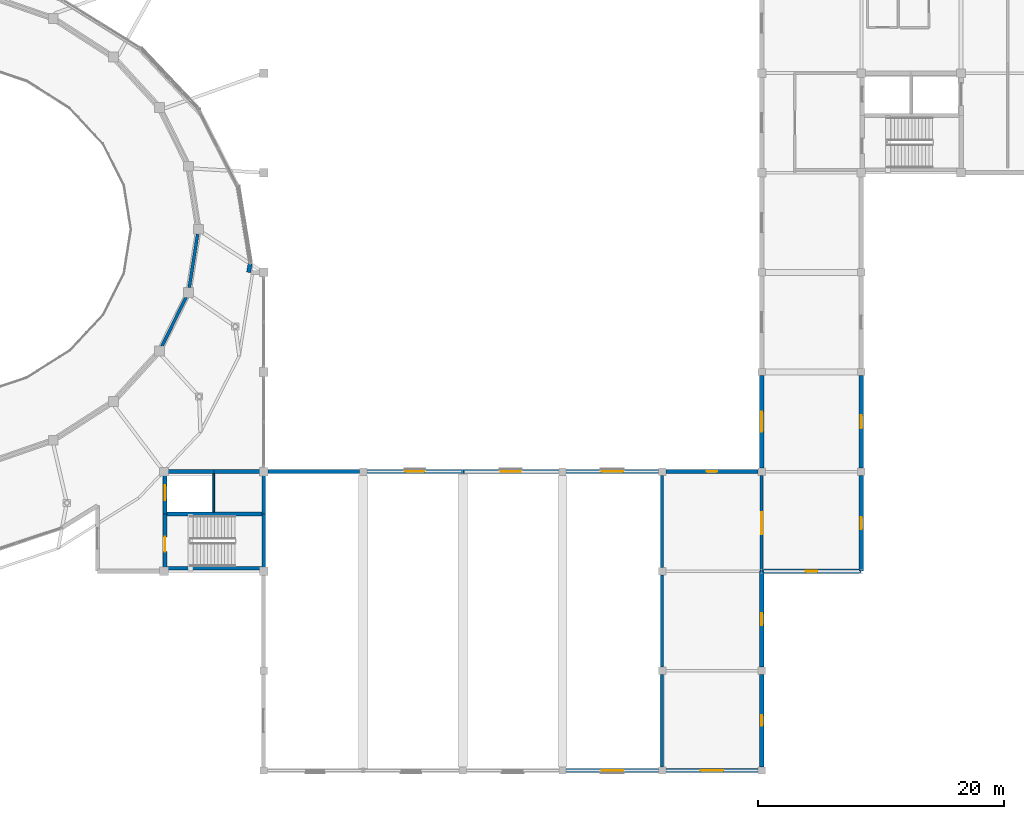
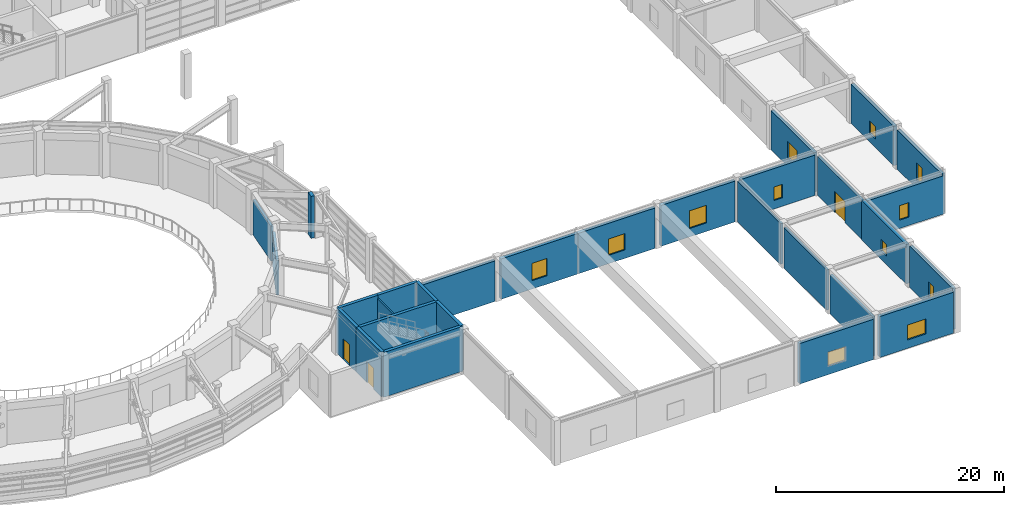
# One storey, part 42 of 58: 29 walls, 12 windows, 3 doors, 15 openings.
"""IFC4 building model written with IfcOpenShell, lengths in metres."""

from ifc_helpers import new_model, si_unit, direction, frame, frame_2d, origin, place, context, subcontext, project, spatial, rectangle, extrude, material, layer, layer_set, type_object, element, fill, save


model = new_model("IFC4")

# Units and contexts
model_context = context("Model", 3, precision=1e-05, world=origin(), true_north=direction((0.0, 1.0)))
body_context = subcontext(model_context, "Body", "Model", "MODEL_VIEW")
ifc_project = project(units=[si_unit("LENGTHUNIT", "METRE"), si_unit("AREAUNIT", "SQUARE_METRE"), si_unit("VOLUMEUNIT", "CUBIC_METRE"), si_unit("PLANEANGLEUNIT", "RADIAN"), si_unit("MASSUNIT", "GRAM", prefix="KILO")], contexts=[model_context])

# Site, building, storey
site_placement = place(None, origin())
site = spatial("IfcSite", under=ifc_project, at=site_placement, CompositionType="ELEMENT")
building_placement = place(site_placement, origin())
building = spatial("IfcBuilding", under=site, at=building_placement, Name="Parian Resonance Hall", CompositionType="ELEMENT")
storey_placement = place(building_placement, frame((0.0, 0.0, 10.199951171875)))
storey = spatial("IfcBuildingStorey", under=building, at=storey_placement, Name="L02", CompositionType="ELEMENT", Elevation=10.199951171875)

# Wall, opening, door
ifc_material_1 = material(Name="Concrete C40/50", Category="concrete")
ifc_layer_1 = layer(ifc_material_1, 0.31005859375)
ifc_layer_set_1 = layer_set([ifc_layer_1], Name="Concrete C40/50")
wall_type_1 = type_object("IfcWallType", Name="CW310", PredefinedType="SHEAR", material=ifc_layer_set_1)
wall_1_placement = place(storey_placement, frame((64.889892578125, 16.449951171875, 0.0), z_axis=(0.0, 0.0, 1.0), x_axis=(0.0, 1.0, 0.0)))
wall_1 = element("IfcWall", 1, at=wall_1_placement, inside=storey, type_object=wall_type_1, Name="Core K3 stairwell west shear wall L02", PredefinedType="SHEAR", context=body_context, shape_type="SweptSolid", body=[
    extrude(rectangle(XDim=4.400146484375, YDim=0.31005859375, at=frame_2d((2.2001953125, 0.0))), origin(), (0.0, 0.0, 1.0), 4.800048828125),
])
opening_1_placement = place(wall_1_placement, frame((1.35009765625, 0.0, 0.0)))
opening_1 = element("IfcOpeningElement", 2, at=opening_1_placement, cuts=wall_1, Name="Opening FD-01", PredefinedType="OPENING", context=body_context, shape_type="SweptSolid", body=[
    extrude(rectangle(XDim=1.199951171875, YDim=2.25, at=frame_2d((0.60009765625, 1.125))), frame((0.0, 0.1650390625, 0.0), z_axis=(0.0, -1.0, 0.0), x_axis=(1.0, 0.0, 0.0)), (0.0, 0.0, 1.0), 0.330078125),
])
ifc_material_2 = material(Name="Fire-rated acoustic steel and narra timber door", Category="steel")
door_type_1 = type_object("IfcDoorType", Name="FD-01", OperationType="NOTDEFINED", PredefinedType="DOOR", material=ifc_material_2)
door_1_placement = place(opening_1_placement, origin())
door_1 = element("IfcDoor", 3, at=door_1_placement, inside=storey, type_object=door_type_1, Name="Exit stair ST-03 fire door L02", OperationType="SINGLE_SWING_RIGHT", OverallHeight=2.25, OverallWidth=1.199951171875, PredefinedType="DOOR", context=body_context, shape_type="SweptSolid", body=[
    extrude(rectangle(XDim=1.199951171875, YDim=2.25, at=frame_2d((0.60009765625, 1.125))), frame((0.0, 0.02490234375, 0.0), z_axis=(0.0, -1.0, 0.0), x_axis=(1.0, 0.0, 0.0)), (0.0, 0.0, 1.0), 0.050048828125),
])
fill(opening_1, door_1)

wall_2_placement = place(storey_placement, frame((64.889892578125, 20.85009765625, 0.0), z_axis=(0.0, 0.0, 1.0), x_axis=(0.0, 1.0, 0.0)))
wall_2 = element("IfcWall", 4, at=wall_2_placement, inside=storey, type_object=wall_type_1, Name="Core K3 lift shaft west shear wall L02", PredefinedType="SHEAR", context=body_context, shape_type="SweptSolid", body=[
    extrude(rectangle(XDim=3.449951171875, YDim=0.31005859375, at=frame_2d((1.72509765625, 0.0))), origin(), (0.0, 0.0, 1.0), 4.800048828125),
])
opening_2_placement = place(wall_2_placement, frame((1.125, 0.0, 0.0)))
opening_2 = element("IfcOpeningElement", 5, at=opening_2_placement, cuts=wall_2, Name="Opening LD-01", PredefinedType="OPENING", context=body_context, shape_type="SweptSolid", body=[
    extrude(rectangle(XDim=1.199951171875, YDim=2.199951171875, at=frame_2d((0.60009765625, 1.10009765625))), frame((0.0, 0.1650390625, 0.0), z_axis=(0.0, -1.0, 0.0), x_axis=(1.0, 0.0, 0.0)), (0.0, 0.0, 1.0), 0.330078125),
])
ifc_material_3 = material(Name="Stainless steel and bronze elevator cab", Category="steel")
door_type_2 = type_object("IfcDoorType", Name="DOOR-LIFT-1200x2200", OperationType="SLIDING_TO_LEFT", PredefinedType="DOOR", material=ifc_material_3)
door_2_placement = place(opening_2_placement, origin())
door_2 = element("IfcDoor", 6, at=door_2_placement, inside=storey, type_object=door_type_2, Name="Lift LF-04 sliding landing door L02", OperationType="SLIDING_TO_LEFT", OverallHeight=2.199951171875, OverallWidth=1.199951171875, PredefinedType="DOOR", context=body_context, shape_type="SweptSolid", body=[
    extrude(rectangle(XDim=1.199951171875, YDim=2.199951171875, at=frame_2d((0.60009765625, 1.10009765625))), frame((0.0, 0.02490234375, 0.0), z_axis=(0.0, -1.0, 0.0), x_axis=(1.0, 0.0, 0.0)), (0.0, 0.0, 1.0), 0.050048828125),
])
fill(opening_2, door_2)

# Walls
wall_3_placement = place(storey_placement, frame((64.889892578125, 24.300048828125, 0.0), z_axis=(0.0, 0.0, 1.0), x_axis=(1.0, 0.0, 0.0)))
element("IfcWall", 7, at=wall_3_placement, inside=storey, type_object=wall_type_1, Name="Core K3 north-west shaft wall L02", PredefinedType="SHEAR", context=body_context, shape_type="SweptSolid", body=[
    extrude(rectangle(XDim=3.960205078125, YDim=0.31005859375, at=frame_2d((1.97998046875, 0.0))), origin(), (0.0, 0.0, 1.0), 4.800048828125),
])
wall_4_placement = place(storey_placement, frame((68.85009765625, 24.300048828125, 0.0), z_axis=(0.0, 0.0, 1.0), x_axis=(1.0, 0.0, 0.0)))
element("IfcWall", 8, at=wall_4_placement, inside=storey, type_object=wall_type_1, Name="Core K3 north-east shaft wall L02", PredefinedType="SHEAR", context=body_context, shape_type="SweptSolid", body=[
    extrude(rectangle(XDim=4.059814453125, YDim=0.31005859375, at=frame_2d((2.02978515625, 0.0))), origin(), (0.0, 0.0, 1.0), 4.800048828125),
])
wall_5_placement = place(storey_placement, frame((72.909912109375, 24.300048828125, 0.0), z_axis=(0.0, 0.0, 1.0), x_axis=(0.0, -1.0, 0.0)))
element("IfcWall", 9, at=wall_5_placement, inside=storey, type_object=wall_type_1, Name="Core K3 east shaft wall L02", PredefinedType="SHEAR", context=body_context, shape_type="SweptSolid", body=[
    extrude(rectangle(XDim=3.449951171875, YDim=0.31005859375, at=frame_2d((1.72509765625, 0.0))), origin(), (0.0, 0.0, 1.0), 4.800048828125),
])
wall_6_placement = place(storey_placement, frame((72.909912109375, 20.85009765625, 0.0), z_axis=(0.0, 0.0, 1.0), x_axis=(0.0, -1.0, 0.0)))
element("IfcWall", 10, at=wall_6_placement, inside=storey, type_object=wall_type_1, Name="Core K3 stairwell east wall L02", PredefinedType="SHEAR", context=body_context, shape_type="SweptSolid", body=[
    extrude(rectangle(XDim=4.400146484375, YDim=0.31005859375, at=frame_2d((2.2001953125, 0.0))), origin(), (0.0, 0.0, 1.0), 4.800048828125),
])
for number, where, z_axis, x_axis, name in (
    (11, (72.909912109375, 16.449951171875, 0.0), (0.0, 0.0, 1.0), (-1.0, 0.0, 0.0), "Core K3 stairwell south wall L02"),
    (12, (64.889892578125, 20.85009765625, 0.0), (0.0, 0.0, 1.0), (1.0, 0.0, 0.0), "Core K3 stair-lift divider wall L02"),
):
    element("IfcWall", number, at=place(storey_placement, frame(where, z_axis=z_axis, x_axis=x_axis)), inside=storey, type_object=wall_type_1, Name=name, PredefinedType="SHEAR", context=body_context, shape_type="SweptSolid", body=[
        extrude(rectangle(XDim=8.02001953125, YDim=0.31005859375, at=frame_2d((4.010009765625, 0.0))), origin(), (0.0, 0.0, 1.0), 4.800048828125),
    ])
ifc_material_4 = material(Name="Concrete C35/45 with Carcar coral-limestone ashlar", Category="masonry")
ifc_layer_2 = layer(ifc_material_4, 0.340087890625)
ifc_layer_set_2 = layer_set([ifc_layer_2], Name="Concrete C35/45 with Carcar coral-limestone ashlar")
wall_type_2 = type_object("IfcWallType", Name="EW-STONE-340", PredefinedType="SOLIDWALL", material=ifc_layer_set_2)
wall_7_placement = place(storey_placement, frame((73.25, 24.300048828125, 0.0), z_axis=(0.0, 0.0, 1.0), x_axis=(1.0, 0.0, 0.0)))
element("IfcWall", 13, at=wall_7_placement, inside=storey, type_object=wall_type_2, Name="Exterior wall EW-L02-0127", PredefinedType="SOLIDWALL", context=body_context, shape_type="SweptSolid", body=[
    extrude(rectangle(XDim=7.449951171875, YDim=0.340087890625, at=frame_2d((3.72509765625, 0.0))), origin(), (0.0, 0.0, 1.0), 4.324951171875),
])

# Wall, opening, window
wall_8_placement = place(storey_placement, frame((81.300048828125, 24.300048828125, 0.0), z_axis=(0.0, 0.0, 1.0), x_axis=(1.0, 0.0, 0.0)))
wall_8 = element("IfcWall", 14, at=wall_8_placement, inside=storey, type_object=wall_type_2, Name="Exterior wall EW-L02-0131", PredefinedType="SOLIDWALL", context=body_context, shape_type="SweptSolid", body=[
    extrude(rectangle(XDim=7.800048828125, YDim=0.340087890625, at=frame_2d((3.89990234375, 0.0))), origin(), (0.0, 0.0, 1.0), 4.324951171875),
])
opening_3_placement = place(wall_8_placement, frame((3.125, 0.0, 0.89990234375)))
opening_3 = element("IfcOpeningElement", 15, at=opening_3_placement, cuts=wall_8, Name="Opening WN-25", PredefinedType="OPENING", context=body_context, shape_type="SweptSolid", body=[
    extrude(rectangle(XDim=1.550048828125, YDim=1.85009765625, at=frame_2d((0.77490234375, 0.925048828125))), frame((0.0, 0.179931640625, 0.0), z_axis=(0.0, -1.0, 0.0), x_axis=(1.0, 0.0, 0.0)), (0.0, 0.0, 1.0), 0.360107421875),
])
ifc_material_5 = material(Name="Acoustic laminated double glazing", Category="glass")
window_type_1 = type_object("IfcWindowType", Name="WIN-1550x1850", PartitioningType="SINGLE_PANEL", PredefinedType="WINDOW", material=ifc_material_5)
window_1_placement = place(opening_3_placement, origin())
window_1 = element("IfcWindow", 16, at=window_1_placement, inside=storey, type_object=window_type_1, Name="Acoustic window L02-0023", OverallHeight=1.85009765625, OverallWidth=1.550048828125, PartitioningType="SINGLE_PANEL", PredefinedType="WINDOW", context=body_context, shape_type="SweptSolid", body=[
    extrude(rectangle(XDim=1.550048828125, YDim=1.85009765625, at=frame_2d((0.77490234375, 0.925048828125))), frame((0.0, 0.030029296875, 0.0), z_axis=(0.0, -1.0, 0.0), x_axis=(1.0, 0.0, 0.0)), (0.0, 0.0, 1.0), 0.06005859375),
])
fill(opening_3, window_1)

wall_9_placement = place(storey_placement, frame((89.10009765625, 24.300048828125, 0.0), z_axis=(0.0, 0.0, 1.0), x_axis=(1.0, 0.0, 0.0)))
wall_9 = element("IfcWall", 17, at=wall_9_placement, inside=storey, type_object=wall_type_2, Name="Exterior wall EW-L02-0134", PredefinedType="SOLIDWALL", context=body_context, shape_type="SweptSolid", body=[
    extrude(rectangle(XDim=7.7998046875, YDim=0.340087890625, at=frame_2d((3.89990234375, 0.0))), origin(), (0.0, 0.0, 1.0), 4.324951171875),
])
opening_4_placement = place(wall_9_placement, frame((3.074951171875, 0.0, 0.89990234375)))
opening_4 = element("IfcOpeningElement", 18, at=opening_4_placement, cuts=wall_9, Name="Opening WN-28", PredefinedType="OPENING", context=body_context, shape_type="SweptSolid", body=[
    extrude(rectangle(XDim=1.64990234375, YDim=1.75, at=frame_2d((0.824951171875, 0.875))), frame((0.0, 0.179931640625, 0.0), z_axis=(0.0, -1.0, 0.0), x_axis=(1.0, 0.0, 0.0)), (0.0, 0.0, 1.0), 0.360107421875),
])
ifc_material_6 = material(Name="Acoustic laminated double glazing", Category="glass")
window_type_2 = type_object("IfcWindowType", Name="WIN-1650x1750", PartitioningType="SINGLE_PANEL", PredefinedType="WINDOW", material=ifc_material_6)
window_2_placement = place(opening_4_placement, origin())
window_2 = element("IfcWindow", 19, at=window_2_placement, inside=storey, type_object=window_type_2, Name="Acoustic window L02-0026", OverallHeight=1.75, OverallWidth=1.64990234375, PartitioningType="SINGLE_PANEL", PredefinedType="WINDOW", context=body_context, shape_type="SweptSolid", body=[
    extrude(rectangle(XDim=1.64990234375, YDim=1.75, at=frame_2d((0.824951171875, 0.875))), frame((0.0, 0.030029296875, 0.0), z_axis=(0.0, -1.0, 0.0), x_axis=(1.0, 0.0, 0.0)), (0.0, 0.0, 1.0), 0.06005859375),
])
fill(opening_4, window_2)

wall_10_placement = place(storey_placement, frame((97.5, 24.300048828125, 0.0), z_axis=(0.0, 0.0, 1.0), x_axis=(1.0, 0.0, 0.0)))
wall_10 = element("IfcWall", 20, at=wall_10_placement, inside=storey, type_object=wall_type_2, Name="Exterior wall EW-L02-0138", PredefinedType="SOLIDWALL", context=body_context, shape_type="SweptSolid", body=[
    extrude(rectangle(XDim=7.5, YDim=0.340087890625, at=frame_2d((3.75, 0.0))), origin(), (0.0, 0.0, 1.0), 4.376953125),
])
opening_5_placement = place(wall_10_placement, frame((2.875, 0.0, 0.89990234375)))
opening_5 = element("IfcOpeningElement", 21, at=opening_5_placement, cuts=wall_10, Name="Opening WN-31", PredefinedType="OPENING", context=body_context, shape_type="SweptSolid", body=[
    extrude(rectangle(XDim=1.75, YDim=1.89990234375, at=frame_2d((0.875, 0.949951171875))), frame((0.0, 0.179931640625, 0.0), z_axis=(0.0, -1.0, 0.0), x_axis=(1.0, 0.0, 0.0)), (0.0, 0.0, 1.0), 0.360107421875),
])
ifc_material_7 = material(Name="Acoustic laminated double glazing", Category="glass")
window_type_3 = type_object("IfcWindowType", Name="WIN-1750x1900", PartitioningType="SINGLE_PANEL", PredefinedType="WINDOW", material=ifc_material_7)
window_3_placement = place(opening_5_placement, origin())
window_3 = element("IfcWindow", 22, at=window_3_placement, inside=storey, type_object=window_type_3, Name="Acoustic window L02-0029", OverallHeight=1.89990234375, OverallWidth=1.75, PartitioningType="SINGLE_PANEL", PredefinedType="WINDOW", context=body_context, shape_type="SweptSolid", body=[
    extrude(rectangle(XDim=1.75, YDim=1.89990234375, at=frame_2d((0.875, 0.949951171875))), frame((0.0, 0.030029296875, 0.0), z_axis=(0.0, -1.0, 0.0), x_axis=(1.0, 0.0, 0.0)), (0.0, 0.0, 1.0), 0.06005859375),
])
fill(opening_5, window_3)

wall_11_placement = place(storey_placement, frame((113.10009765625, 24.300048828125, 0.0), z_axis=(0.0, 0.0, 1.0), x_axis=(-1.0, 0.0, 0.0)))
wall_11 = element("IfcWall", 23, at=wall_11_placement, inside=storey, type_object=wall_type_2, Name="Perimeter closure wall L02", PredefinedType="SOLIDWALL", context=body_context, shape_type="SweptSolid", body=[
    extrude(rectangle(XDim=7.5, YDim=0.340087890625, at=frame_2d((3.75, 0.0))), origin(), (0.0, 0.0, 1.0), 4.324951171875),
])
opening_6_placement = place(wall_11_placement, frame((3.324951171875, 0.0, 0.89990234375)))
opening_6 = element("IfcOpeningElement", 24, at=opening_6_placement, cuts=wall_11, Name="Opening WN-02", PredefinedType="OPENING", context=body_context, shape_type="SweptSolid", body=[
    extrude(rectangle(XDim=0.85009765625, YDim=1.449951171875, at=frame_2d((0.425048828125, 0.72509765625))), frame((0.0, 0.179931640625, 0.0), z_axis=(0.0, -1.0, 0.0), x_axis=(1.0, 0.0, 0.0)), (0.0, 0.0, 1.0), 0.360107421875),
])
ifc_material_8 = material(Name="Acoustic laminated double glazing", Category="glass")
window_type_4 = type_object("IfcWindowType", Name="WIN-850x1450", PartitioningType="SINGLE_PANEL", PredefinedType="WINDOW", material=ifc_material_8)
window_4_placement = place(opening_6_placement, origin())
window_4 = element("IfcWindow", 25, at=window_4_placement, inside=storey, type_object=window_type_4, Name="Acoustic window L02-0083", OverallHeight=1.449951171875, OverallWidth=0.85009765625, PartitioningType="SINGLE_PANEL", PredefinedType="WINDOW", context=body_context, shape_type="SweptSolid", body=[
    extrude(rectangle(XDim=0.85009765625, YDim=1.449951171875, at=frame_2d((0.425048828125, 0.72509765625))), frame((0.0, 0.030029296875, 0.0), z_axis=(0.0, -1.0, 0.0), x_axis=(1.0, 0.0, 0.0)), (0.0, 0.0, 1.0), 0.06005859375),
])
fill(opening_6, window_4)

wall_12_placement = place(storey_placement, frame((113.39990234375, 0.300048828125, 0.0), z_axis=(0.0, 0.0, 1.0), x_axis=(0.0, 1.0, 0.0)))
wall_12 = element("IfcWall", 26, at=wall_12_placement, inside=storey, type_object=wall_type_2, Name="Perimeter closure wall L02", PredefinedType="SOLIDWALL", context=body_context, shape_type="SweptSolid", body=[
    extrude(rectangle(XDim=7.5, YDim=0.340087890625, at=frame_2d((3.75, 0.0))), origin(), (0.0, 0.0, 1.0), 4.43701171875),
])
opening_7_placement = place(wall_12_placement, frame((3.324951171875, 0.0, 0.89990234375)))
opening_7 = element("IfcOpeningElement", 27, at=opening_7_placement, cuts=wall_12, Name="Opening WN-03", PredefinedType="OPENING", context=body_context, shape_type="SweptSolid", body=[
    extrude(rectangle(XDim=0.85009765625, YDim=1.75, at=frame_2d((0.425048828125, 0.875))), frame((0.0, 0.179931640625, 0.0), z_axis=(0.0, -1.0, 0.0), x_axis=(1.0, 0.0, 0.0)), (0.0, 0.0, 1.0), 0.360107421875),
])
ifc_material_9 = material(Name="Acoustic laminated double glazing", Category="glass")
window_type_5 = type_object("IfcWindowType", Name="WIN-850x1750", PartitioningType="SINGLE_PANEL", PredefinedType="WINDOW", material=ifc_material_9)
window_5_placement = place(opening_7_placement, origin())
window_5 = element("IfcWindow", 28, at=window_5_placement, inside=storey, type_object=window_type_5, Name="Acoustic window L02-0084", OverallHeight=1.75, OverallWidth=0.85009765625, PartitioningType="SINGLE_PANEL", PredefinedType="WINDOW", context=body_context, shape_type="SweptSolid", body=[
    extrude(rectangle(XDim=0.85009765625, YDim=1.75, at=frame_2d((0.425048828125, 0.875))), frame((0.0, 0.030029296875, 0.0), z_axis=(0.0, -1.0, 0.0), x_axis=(1.0, 0.0, 0.0)), (0.0, 0.0, 1.0), 0.06005859375),
])
fill(opening_7, window_5)

wall_13_placement = place(storey_placement, frame((113.39990234375, 8.39990234375, 0.0), z_axis=(0.0, 0.0, 1.0), x_axis=(0.0, 1.0, 0.0)))
wall_13 = element("IfcWall", 29, at=wall_13_placement, inside=storey, type_object=wall_type_2, Name="Perimeter closure wall L02", PredefinedType="SOLIDWALL", context=body_context, shape_type="SweptSolid", body=[
    extrude(rectangle(XDim=7.800048828125, YDim=0.340087890625, at=frame_2d((3.89990234375, 0.0))), origin(), (0.0, 0.0, 1.0), 4.20703125),
])
opening_8_placement = place(wall_13_placement, frame((3.425048828125, 0.0, 0.89990234375)))
opening_8 = element("IfcOpeningElement", 30, at=opening_8_placement, cuts=wall_13, Name="Opening WN-04", PredefinedType="OPENING", context=body_context, shape_type="SweptSolid", body=[
    extrude(rectangle(XDim=0.949951171875, YDim=1.25, at=frame_2d((0.47509765625, 0.625))), frame((0.0, 0.179931640625, 0.0), z_axis=(0.0, -1.0, 0.0), x_axis=(1.0, 0.0, 0.0)), (0.0, 0.0, 1.0), 0.360107421875),
])
ifc_material_10 = material(Name="Acoustic laminated double glazing", Category="glass")
window_type_6 = type_object("IfcWindowType", Name="WIN-950x1250", PartitioningType="SINGLE_PANEL", PredefinedType="WINDOW", material=ifc_material_10)
window_6_placement = place(opening_8_placement, origin())
window_6 = element("IfcWindow", 31, at=window_6_placement, inside=storey, type_object=window_type_6, Name="Acoustic window L02-0085", OverallHeight=1.25, OverallWidth=0.949951171875, PartitioningType="SINGLE_PANEL", PredefinedType="WINDOW", context=body_context, shape_type="SweptSolid", body=[
    extrude(rectangle(XDim=0.949951171875, YDim=1.25, at=frame_2d((0.47509765625, 0.625))), frame((0.0, 0.030029296875, 0.0), z_axis=(0.0, -1.0, 0.0), x_axis=(1.0, 0.0, 0.0)), (0.0, 0.0, 1.0), 0.06005859375),
])
fill(opening_8, window_6)

wall_14_placement = place(storey_placement, frame((113.39990234375, 16.199951171875, 0.0), z_axis=(0.0, 0.0, 1.0), x_axis=(1.0, 0.0, 0.0)))
wall_14 = element("IfcWall", 32, at=wall_14_placement, inside=storey, type_object=wall_type_2, Name="Perimeter closure wall L02", PredefinedType="SOLIDWALL", context=body_context, shape_type="SweptSolid", body=[
    extrude(rectangle(XDim=8.10009765625, YDim=0.340087890625, at=frame_2d((4.050048828125, 0.0))), origin(), (0.0, 0.0, 1.0), 4.094970703125),
])
opening_9_placement = place(wall_14_placement, frame((3.574951171875, 0.0, 0.89990234375)))
opening_9 = element("IfcOpeningElement", 33, at=opening_9_placement, cuts=wall_14, Name="Opening WN-05", PredefinedType="OPENING", context=body_context, shape_type="SweptSolid", body=[
    extrude(rectangle(XDim=0.949951171875, YDim=1.550048828125, at=frame_2d((0.47509765625, 0.77490234375))), frame((0.0, 0.179931640625, 0.0), z_axis=(0.0, -1.0, 0.0), x_axis=(1.0, 0.0, 0.0)), (0.0, 0.0, 1.0), 0.360107421875),
])
ifc_material_11 = material(Name="Acoustic laminated double glazing", Category="glass")
window_type_7 = type_object("IfcWindowType", Name="WIN-950x1550", PartitioningType="SINGLE_PANEL", PredefinedType="WINDOW", material=ifc_material_11)
window_7_placement = place(opening_9_placement, origin())
window_7 = element("IfcWindow", 34, at=window_7_placement, inside=storey, type_object=window_type_7, Name="Acoustic window L02-0086", OverallHeight=1.550048828125, OverallWidth=0.949951171875, PartitioningType="SINGLE_PANEL", PredefinedType="WINDOW", context=body_context, shape_type="SweptSolid", body=[
    extrude(rectangle(XDim=0.949951171875, YDim=1.550048828125, at=frame_2d((0.47509765625, 0.77490234375))), frame((0.0, 0.030029296875, 0.0), z_axis=(0.0, -1.0, 0.0), x_axis=(1.0, 0.0, 0.0)), (0.0, 0.0, 1.0), 0.06005859375),
])
fill(opening_9, window_7)

wall_15_placement = place(storey_placement, frame((121.5, 16.199951171875, 0.0), z_axis=(0.0, 0.0, 1.0), x_axis=(0.0, 1.0, 0.0)))
wall_15 = element("IfcWall", 35, at=wall_15_placement, inside=storey, type_object=wall_type_2, Name="Perimeter closure wall L02", PredefinedType="SOLIDWALL", context=body_context, shape_type="SweptSolid", body=[
    extrude(rectangle(XDim=7.800048828125, YDim=0.340087890625, at=frame_2d((3.89990234375, 0.0))), origin(), (0.0, 0.0, 1.0), 4.20703125),
])
opening_10_placement = place(wall_15_placement, frame((3.425048828125, 0.0, 0.89990234375)))
opening_10 = element("IfcOpeningElement", 36, at=opening_10_placement, cuts=wall_15, Name="Opening WN-06", PredefinedType="OPENING", context=body_context, shape_type="SweptSolid", body=[
    extrude(rectangle(XDim=0.949951171875, YDim=1.85009765625, at=frame_2d((0.47509765625, 0.925048828125))), frame((0.0, 0.179931640625, 0.0), z_axis=(0.0, -1.0, 0.0), x_axis=(1.0, 0.0, 0.0)), (0.0, 0.0, 1.0), 0.360107421875),
])
ifc_material_12 = material(Name="Acoustic laminated double glazing", Category="glass")
window_type_8 = type_object("IfcWindowType", Name="WIN-950x1850", PartitioningType="SINGLE_PANEL", PredefinedType="WINDOW", material=ifc_material_12)
window_8_placement = place(opening_10_placement, origin())
window_8 = element("IfcWindow", 37, at=window_8_placement, inside=storey, type_object=window_type_8, Name="Acoustic window L02-0087", OverallHeight=1.85009765625, OverallWidth=0.949951171875, PartitioningType="SINGLE_PANEL", PredefinedType="WINDOW", context=body_context, shape_type="SweptSolid", body=[
    extrude(rectangle(XDim=0.949951171875, YDim=1.85009765625, at=frame_2d((0.47509765625, 0.925048828125))), frame((0.0, 0.030029296875, 0.0), z_axis=(0.0, -1.0, 0.0), x_axis=(1.0, 0.0, 0.0)), (0.0, 0.0, 1.0), 0.06005859375),
])
fill(opening_10, window_8)

wall_16_placement = place(storey_placement, frame((121.5, 24.60009765625, 0.0), z_axis=(0.0, 0.0, 1.0), x_axis=(0.0, 1.0, 0.0)))
wall_16 = element("IfcWall", 38, at=wall_16_placement, inside=storey, type_object=wall_type_2, Name="Perimeter closure wall L02", PredefinedType="SOLIDWALL", context=body_context, shape_type="SweptSolid", body=[
    extrude(rectangle(XDim=7.5, YDim=0.340087890625, at=frame_2d((3.75, 0.0))), origin(), (0.0, 0.0, 1.0), 4.20703125),
])
opening_11_placement = place(wall_16_placement, frame((3.22509765625, 0.0, 0.89990234375)))
opening_11 = element("IfcOpeningElement", 39, at=opening_11_placement, cuts=wall_16, Name="Opening WN-07", PredefinedType="OPENING", context=body_context, shape_type="SweptSolid", body=[
    extrude(rectangle(XDim=1.050048828125, YDim=1.35009765625, at=frame_2d((0.52490234375, 0.675048828125))), frame((0.0, 0.179931640625, 0.0), z_axis=(0.0, -1.0, 0.0), x_axis=(1.0, 0.0, 0.0)), (0.0, 0.0, 1.0), 0.360107421875),
])
ifc_material_13 = material(Name="Acoustic laminated double glazing", Category="glass")
window_type_9 = type_object("IfcWindowType", Name="WIN-1050x1350", PartitioningType="SINGLE_PANEL", PredefinedType="WINDOW", material=ifc_material_13)
window_9_placement = place(opening_11_placement, origin())
window_9 = element("IfcWindow", 40, at=window_9_placement, inside=storey, type_object=window_type_9, Name="Acoustic window L02-0088", OverallHeight=1.35009765625, OverallWidth=1.050048828125, PartitioningType="SINGLE_PANEL", PredefinedType="WINDOW", context=body_context, shape_type="SweptSolid", body=[
    extrude(rectangle(XDim=1.050048828125, YDim=1.35009765625, at=frame_2d((0.52490234375, 0.675048828125))), frame((0.0, 0.030029296875, 0.0), z_axis=(0.0, -1.0, 0.0), x_axis=(1.0, 0.0, 0.0)), (0.0, 0.0, 1.0), 0.06005859375),
])
fill(opening_11, window_9)

wall_17_placement = place(storey_placement, frame((113.39990234375, 32.10009765625, 0.0), z_axis=(0.0, 0.0, 1.0), x_axis=(0.0, -1.0, 0.0)))
wall_17 = element("IfcWall", 41, at=wall_17_placement, inside=storey, type_object=wall_type_2, Name="Perimeter closure wall L02", PredefinedType="SOLIDWALL", context=body_context, shape_type="SweptSolid", body=[
    extrude(rectangle(XDim=7.5, YDim=0.340087890625, at=frame_2d((3.75, 0.0))), origin(), (0.0, 0.0, 1.0), 4.20703125),
])
opening_12_placement = place(wall_17_placement, frame((2.925048828125, 0.0, 0.89990234375)))
opening_12 = element("IfcOpeningElement", 42, at=opening_12_placement, cuts=wall_17, Name="Opening WN-28", PredefinedType="OPENING", context=body_context, shape_type="SweptSolid", body=[
    extrude(rectangle(XDim=1.64990234375, YDim=1.75, at=frame_2d((0.824951171875, 0.875))), frame((0.0, 0.179931640625, 0.0), z_axis=(0.0, -1.0, 0.0), x_axis=(1.0, 0.0, 0.0)), (0.0, 0.0, 1.0), 0.360107421875),
])
window_10_placement = place(opening_12_placement, origin())
window_10 = element("IfcWindow", 43, at=window_10_placement, inside=storey, type_object=window_type_2, Name="Acoustic window L02-0102", OverallHeight=1.75, OverallWidth=1.64990234375, PartitioningType="SINGLE_PANEL", PredefinedType="WINDOW", context=body_context, shape_type="SweptSolid", body=[
    extrude(rectangle(XDim=1.64990234375, YDim=1.75, at=frame_2d((0.824951171875, 0.875))), frame((0.0, 0.030029296875, 0.0), z_axis=(0.0, -1.0, 0.0), x_axis=(1.0, 0.0, 0.0)), (0.0, 0.0, 1.0), 0.06005859375),
])
fill(opening_12, window_10)

# Wall
wall_18_placement = place(storey_placement, frame((71.68603515625, 40.5, 0.0), z_axis=(0.0, 0.0, 1.0), x_axis=(0.160769193514, 0.986992029561, 0.0)))
element("IfcWall", 44, at=wall_18_placement, inside=storey, type_object=wall_type_2, Name="Perimeter closure wall L02", PredefinedType="SOLIDWALL", context=body_context, shape_type="SweptSolid", body=[
    extrude(rectangle(XDim=0.709228515625, YDim=0.340087890625, at=frame_2d((0.3544921875, 0.0))), origin(), (0.0, 0.0, 1.0), 4.5),
])

# Wall, opening, window
ifc_material_14 = material(Name="Concrete C35/45 with Carcar coral-limestone ashlar", Category="masonry")
ifc_layer_3 = layer(ifc_material_14, 0.360107421875)
ifc_layer_set_3 = layer_set([ifc_layer_3], Name="Concrete C35/45 with Carcar coral-limestone ashlar")
wall_type_3 = type_object("IfcWallType", Name="EW-STONE-360", PredefinedType="SOLIDWALL", material=ifc_layer_set_3)
wall_19_placement = place(storey_placement, frame((105.0, 0.0, 0.0), z_axis=(0.0, 0.0, 1.0), x_axis=(-1.0, 0.0, 0.0)))
wall_19 = element("IfcWall", 45, at=wall_19_placement, inside=storey, type_object=wall_type_3, Name="Exterior wall EW-L02-0137", PredefinedType="SOLIDWALL", context=body_context, shape_type="SweptSolid", body=[
    extrude(rectangle(XDim=7.5, YDim=0.360107421875, at=frame_2d((3.75, 0.0))), origin(), (0.0, 0.0, 1.0), 4.324951171875),
])
opening_13_placement = place(wall_19_placement, frame((2.875, 0.0, 0.89990234375)))
opening_13 = element("IfcOpeningElement", 46, at=opening_13_placement, cuts=wall_19, Name="Opening WN-30", PredefinedType="OPENING", context=body_context, shape_type="SweptSolid", body=[
    extrude(rectangle(XDim=1.75, YDim=1.5, at=frame_2d((0.875, 0.75))), frame((0.0, 0.18994140625, 0.0), z_axis=(0.0, -1.0, 0.0), x_axis=(1.0, 0.0, 0.0)), (0.0, 0.0, 1.0), 0.380126953125),
])
ifc_material_15 = material(Name="Acoustic laminated double glazing", Category="glass")
window_type_10 = type_object("IfcWindowType", Name="WIN-1750x1500", PartitioningType="SINGLE_PANEL", PredefinedType="WINDOW", material=ifc_material_15)
window_11_placement = place(opening_13_placement, origin())
window_11 = element("IfcWindow", 47, at=window_11_placement, inside=storey, type_object=window_type_10, Name="Acoustic window L02-0028", OverallHeight=1.5, OverallWidth=1.75, PartitioningType="SINGLE_PANEL", PredefinedType="WINDOW", context=body_context, shape_type="SweptSolid", body=[
    extrude(rectangle(XDim=1.75, YDim=1.5, at=frame_2d((0.875, 0.75))), frame((0.0, 0.030029296875, 0.0), z_axis=(0.0, -1.0, 0.0), x_axis=(1.0, 0.0, 0.0)), (0.0, 0.0, 1.0), 0.06005859375),
])
fill(opening_13, window_11)

wall_20_placement = place(storey_placement, frame((113.10009765625, 0.0, 0.0), z_axis=(0.0, 0.0, 1.0), x_axis=(-1.0, 0.0, 0.0)))
wall_20 = element("IfcWall", 48, at=wall_20_placement, inside=storey, type_object=wall_type_3, Name="Exterior wall EW-L02-0140", PredefinedType="SOLIDWALL", context=body_context, shape_type="SweptSolid", body=[
    extrude(rectangle(XDim=7.5, YDim=0.360107421875, at=frame_2d((3.75, 0.0))), origin(), (0.0, 0.0, 1.0), 4.376953125),
])
opening_14_placement = place(wall_20_placement, frame((2.824951171875, 0.0, 0.89990234375)))
opening_14 = element("IfcOpeningElement", 49, at=opening_14_placement, cuts=wall_20, Name="Opening WN-33", PredefinedType="OPENING", context=body_context, shape_type="SweptSolid", body=[
    extrude(rectangle(XDim=1.85009765625, YDim=1.60009765625, at=frame_2d((0.925048828125, 0.800048828125))), frame((0.0, 0.18994140625, 0.0), z_axis=(0.0, -1.0, 0.0), x_axis=(1.0, 0.0, 0.0)), (0.0, 0.0, 1.0), 0.380126953125),
])
ifc_material_16 = material(Name="Acoustic laminated double glazing", Category="glass")
window_type_11 = type_object("IfcWindowType", Name="WIN-1850x1600", PartitioningType="SINGLE_PANEL", PredefinedType="WINDOW", material=ifc_material_16)
window_12_placement = place(opening_14_placement, origin())
window_12 = element("IfcWindow", 50, at=window_12_placement, inside=storey, type_object=window_type_11, Name="Acoustic window L02-0031", OverallHeight=1.60009765625, OverallWidth=1.85009765625, PartitioningType="SINGLE_PANEL", PredefinedType="WINDOW", context=body_context, shape_type="SweptSolid", body=[
    extrude(rectangle(XDim=1.85009765625, YDim=1.60009765625, at=frame_2d((0.925048828125, 0.800048828125))), frame((0.0, 0.030029296875, 0.0), z_axis=(0.0, -1.0, 0.0), x_axis=(1.0, 0.0, 0.0)), (0.0, 0.0, 1.0), 0.06005859375),
])
fill(opening_14, window_12)

# Walls
ifc_material_17 = material(Name="Concrete C35/45 fire barrier", Category="concrete")
ifc_layer_4 = layer(ifc_material_17, 0.25)
ifc_layer_set_4 = layer_set([ifc_layer_4], Name="Concrete C35/45 fire barrier")
wall_type_4 = type_object("IfcWallType", Name="HW250", PredefinedType="SOLIDWALL", material=ifc_layer_set_4)
wall_21_placement = place(storey_placement, frame((66.598388671875, 38.475341796875, 0.0), z_axis=(0.0, 0.0, 1.0), x_axis=(-0.442692313403, -0.896673583671, 0.0)))
element("IfcWall", 51, at=wall_21_placement, inside=storey, type_object=wall_type_4, Name="Main Concert Hall acoustic drum wall L02-23", PredefinedType="SOLIDWALL", context=body_context, shape_type="SweptSolid", body=[
    extrude(rectangle(XDim=4.433349609375, YDim=0.25, at=frame_2d((2.216796875, 0.0))), origin(), (0.0, 0.0, 1.0), 3.72412109375),
])
wall_22_placement = place(storey_placement, frame((67.537109375, 43.60009765625, 0.0), z_axis=(0.0, 0.0, 1.0), x_axis=(-0.154985912507, -0.987916680153, 0.0)))
element("IfcWall", 52, at=wall_22_placement, inside=storey, type_object=wall_type_4, Name="Main Concert Hall acoustic drum wall L02-24", PredefinedType="SOLIDWALL", context=body_context, shape_type="SweptSolid", body=[
    extrude(rectangle(XDim=4.377685546875, YDim=0.25, at=frame_2d((2.18896484375, 0.0))), origin(), (0.0, 0.0, 1.0), 3.72412109375),
])
wall_23_placement = place(storey_placement, frame((105.300048828125, 0.300048828125, 0.0), z_axis=(0.0, 0.0, 1.0), x_axis=(0.0, 1.0, 0.0)))
element("IfcWall", 53, at=wall_23_placement, inside=storey, type_object=wall_type_4, Name="Orchestra Rehearsal Room east acoustic wall L02-1", PredefinedType="SOLIDWALL", context=body_context, shape_type="SweptSolid", body=[
    extrude(rectangle(XDim=7.5, YDim=0.25, at=frame_2d((3.75, 0.0))), origin(), (0.0, 0.0, 1.0), 4.194091796875),
])
wall_24_placement = place(storey_placement, frame((105.300048828125, 8.39990234375, 0.0), z_axis=(0.0, 0.0, 1.0), x_axis=(0.0, 1.0, 0.0)))
element("IfcWall", 54, at=wall_24_placement, inside=storey, type_object=wall_type_4, Name="Orchestra Rehearsal Room east acoustic wall L02-2", PredefinedType="SOLIDWALL", context=body_context, shape_type="SweptSolid", body=[
    extrude(rectangle(XDim=7.5, YDim=0.25, at=frame_2d((3.75, 0.0))), origin(), (0.0, 0.0, 1.0), 4.324951171875),
])
wall_25_placement = place(storey_placement, frame((105.300048828125, 16.5, 0.0), z_axis=(0.0, 0.0, 1.0), x_axis=(0.0, 1.0, 0.0)))
element("IfcWall", 55, at=wall_25_placement, inside=storey, type_object=wall_type_4, Name="Orchestra Rehearsal Room east acoustic wall L02-3", PredefinedType="SOLIDWALL", context=body_context, shape_type="SweptSolid", body=[
    extrude(rectangle(XDim=7.5, YDim=0.25, at=frame_2d((3.75, 0.0))), origin(), (0.0, 0.0, 1.0), 4.376953125),
])

# Wall, opening, door
wall_26_placement = place(storey_placement, frame((113.39990234375, 16.199951171875, 0.0), z_axis=(0.0, 0.0, 1.0), x_axis=(0.0, 1.0, 0.0)))
wall_26 = element("IfcWall", 56, at=wall_26_placement, inside=storey, type_object=wall_type_4, Name="Rehearsal / Folio link corridor acoustic wall L02", PredefinedType="SOLIDWALL", context=body_context, shape_type="SweptSolid", body=[
    extrude(rectangle(XDim=7.800048828125, YDim=0.25, at=frame_2d((3.89990234375, 0.0))), origin(), (0.0, 0.0, 1.0), 4.20703125),
])
opening_15_placement = place(wall_26_placement, frame((3.0, 0.0, 0.0)))
opening_15 = element("IfcOpeningElement", 57, at=opening_15_placement, cuts=wall_26, Name="Opening FD-02", PredefinedType="OPENING", context=body_context, shape_type="SweptSolid", body=[
    extrude(rectangle(XDim=1.800048828125, YDim=2.25, at=frame_2d((0.89990234375, 1.125))), frame((0.0, 0.135009765625, 0.0), z_axis=(0.0, -1.0, 0.0), x_axis=(1.0, 0.0, 0.0)), (0.0, 0.0, 1.0), 0.27001953125),
])
ifc_material_18 = material(Name="Fire-rated acoustic steel and narra timber door", Category="steel")
door_type_3 = type_object("IfcDoorType", Name="FD-02", OperationType="NOTDEFINED", PredefinedType="DOOR", material=ifc_material_18)
door_3_placement = place(opening_15_placement, origin())
door_3 = element("IfcDoor", 58, at=door_3_placement, inside=storey, type_object=door_type_3, Name="Musicians link gallery acoustic fire door L02", OperationType="DOUBLE_DOOR_SINGLE_SWING", OverallHeight=2.25, OverallWidth=1.800048828125, PredefinedType="DOOR", context=body_context, shape_type="SweptSolid", body=[
    extrude(rectangle(XDim=1.800048828125, YDim=2.25, at=frame_2d((0.89990234375, 1.125))), frame((0.0, 0.02490234375, 0.0), z_axis=(0.0, -1.0, 0.0), x_axis=(1.0, 0.0, 0.0)), (0.0, 0.0, 1.0), 0.050048828125),
])
fill(opening_15, door_3)

# Wall
ifc_material_19 = material(Name="Concrete C35/45 acoustic plumbing chase wall", Category="concrete")
ifc_layer_5 = layer(ifc_material_19, 0.14990234375)
ifc_layer_set_5 = layer_set([ifc_layer_5], Name="Concrete C35/45 acoustic plumbing chase wall")
wall_type_5 = type_object("IfcWallType", Name="PW150", PredefinedType="PLUMBINGWALL", material=ifc_layer_set_5)
wall_27_placement = place(storey_placement, frame((68.85009765625, 21.010009765625, 0.0), z_axis=(0.0, 0.0, 1.0), x_axis=(0.0, 1.0, 0.0)))
element("IfcWall", 59, at=wall_27_placement, inside=storey, type_object=wall_type_5, Name="Core K3 shaft plumbing/riser divider L02", PredefinedType="PLUMBINGWALL", context=body_context, shape_type="SweptSolid", body=[
    extrude(rectangle(XDim=3.1298828125, YDim=0.14990234375, at=frame_2d((1.56494140625, 0.0))), origin(), (0.0, 0.0, 1.0), 4.449951171875),
])

save(model, "model.ifc")
